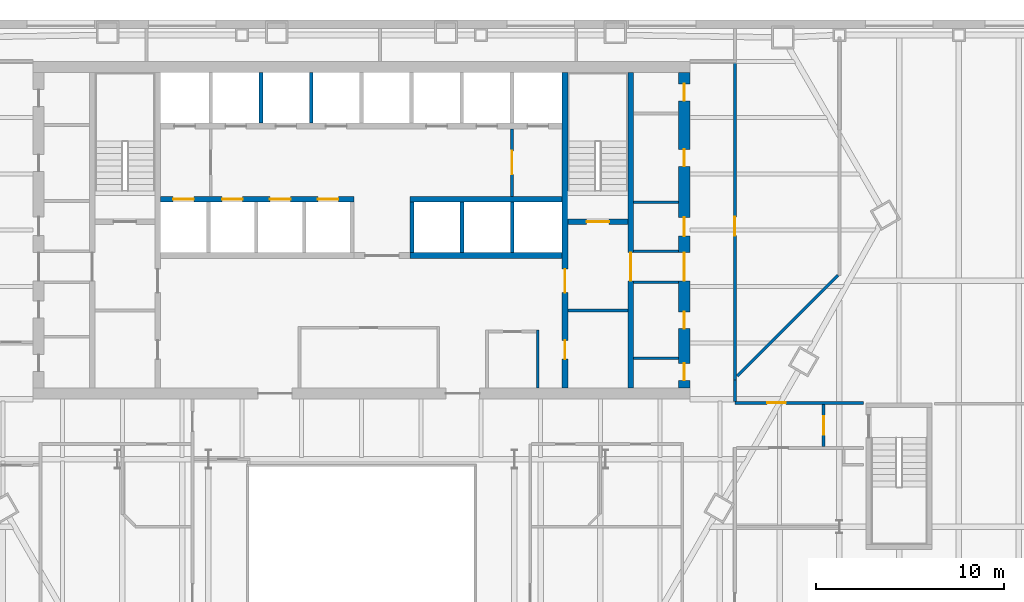
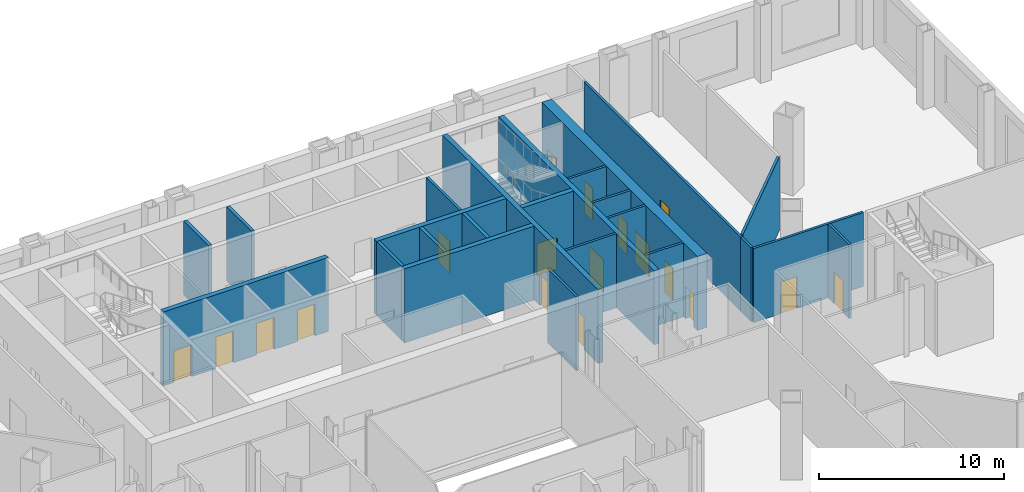
# One storey, part 12 of 20: 24 walls, 18 doors, 18 openings.
"""IFC4 building model written with IfcOpenShell, lengths in metres."""

import ifcopenshell
import ifcopenshell.guid

model = None  # the IFC model being written
_history = None  # IfcOwnerHistory: only IFC2X3 demands one
_inside = {}  # id of a spatial element -> (the spatial element, [elements in it])
_under = {}  # id of a project, library or spatial element -> (it, [spatial elements below it])
_declared = {}  # id of a project -> (the project, [libraries it declares])
_typed = {}  # id of a type object -> (the type object, [elements of that type])
_made_of = {}  # id of a material, layer set ... -> (it, [elements and type objects made of it])


def new_model(schema):
    """Start an empty IFC model of exactly this schema.

    Asked for "IFC4X3", IfcOpenShell would pick the latest addendum, in which some entities
    have other attributes; the version numbers below select the first issue.
    IFC2X3 requires an IfcOwnerHistory on every rooted entity: one is made here for all.
    """
    global model, _history
    if schema == "IFC4X3":
        model = ifcopenshell.file(schema_version=(4, 3, 0, 0))
    else:
        model = ifcopenshell.file(schema=schema)
    _inside.clear()
    _under.clear()
    _declared.clear()
    _typed.clear()
    _made_of.clear()
    _history = None
    if model.schema == "IFC2X3":
        org = make("IfcOrganization", Name="unknown")
        user = make(
            "IfcPersonAndOrganization",
            ThePerson=make("IfcPerson", FamilyName="unknown"),
            TheOrganization=org,
        )
        app = make(
            "IfcApplication",
            ApplicationDeveloper=org,
            Version="unknown",
            ApplicationFullName="unknown",
            ApplicationIdentifier="unknown",
        )
        _history = make(
            "IfcOwnerHistory",
            OwningUser=user,
            OwningApplication=app,
            ChangeAction="ADDED",
            CreationDate=0,
        )
    return model


def make(cls, **values):
    """One entity of the class cls with the attributes given. An attribute that is None is left unset."""
    return model.create_entity(
        cls, **{name: value for name, value in values.items() if value is not None}
    )


def rooted(cls, **values):
    """An entity with a GlobalId (a new one), such as an element, a storey or a relation."""
    return make(cls, GlobalId=ifcopenshell.guid.new(), OwnerHistory=_history, **values)


def si_unit(unit_type, name, prefix=None):
    """IfcSIUnit, for example si_unit("LENGTHUNIT", "METRE", prefix="MILLI")."""
    return make("IfcSIUnit", UnitType=unit_type, Prefix=prefix, Name=name)


def assignment(units):
    """IfcUnitAssignment: the units of a project."""
    return None if units is None else make("IfcUnitAssignment", Units=units)


def point(xyz):
    """IfcCartesianPoint."""
    return None if xyz is None else make("IfcCartesianPoint", Coordinates=xyz)


def direction(xyz):
    """IfcDirection."""
    return None if xyz is None else make("IfcDirection", DirectionRatios=xyz)


def frame(location, z_axis=None, x_axis=None):
    """IfcAxis2Placement3D, a coordinate frame: its origin and axes. An axis left out is left unset."""
    return make(
        "IfcAxis2Placement3D",
        Location=point(location),
        Axis=direction(z_axis),
        RefDirection=direction(x_axis),
    )


def frame_2d(location, x_axis=None):
    """IfcAxis2Placement2D, a coordinate frame in the plane: its origin and x axis."""
    return make(
        "IfcAxis2Placement2D", Location=point(location), RefDirection=direction(x_axis)
    )


def origin():
    """The frame at (0, 0, 0) with its axes left unset."""
    return frame((0.0, 0.0, 0.0))


def place(relative_to, where):
    """IfcLocalPlacement: puts the frame where relative to a parent placement (None: the world)."""
    return make(
        "IfcLocalPlacement", PlacementRelTo=relative_to, RelativePlacement=where
    )


def context(
    kind, dimensions, precision=None, world=None, true_north=None, identifier=None
):
    """IfcGeometricRepresentationContext, for example the 3D "Model" context."""
    return make(
        "IfcGeometricRepresentationContext",
        ContextIdentifier=identifier,
        ContextType=kind,
        CoordinateSpaceDimension=dimensions,
        Precision=precision,
        WorldCoordinateSystem=world,
        TrueNorth=true_north,
    )


def subcontext(parent, identifier, kind, view, scale=None):
    """IfcGeometricRepresentationSubContext, for example "Body" below "Model"."""
    return make(
        "IfcGeometricRepresentationSubContext",
        ContextIdentifier=identifier,
        ContextType=kind,
        ParentContext=parent,
        TargetScale=scale,
        TargetView=view,
    )


def project(units=None, contexts=None):
    """IfcProject with its units and contexts."""
    return rooted(
        "IfcProject",
        Name="project",
        RepresentationContexts=contexts,
        UnitsInContext=assignment(units),
    )


def spatial(cls, under=None, at=None, **own):
    """A site, building, storey or space (cls), placed at a placement, below another one or the project."""
    s = rooted(cls, ObjectPlacement=at, **own)
    if under is not None:
        _under.setdefault(under.id(), (under, []))[1].append(s)
    return s


def profile(cls, at=None, kind="AREA", **sizes):
    """A parametric profile (cls). Its sizes go by their IFC names, for example OverallWidth=200.0."""
    return make(cls, ProfileType=kind, Position=at, **sizes)


def rectangle(**sizes):
    """IfcRectangleProfileDef."""
    return profile("IfcRectangleProfileDef", **sizes)


def extrude(swept, where, along, depth):
    """IfcExtrudedAreaSolid: the profile swept, set in the frame where, extruded along a direction by depth."""
    return make(
        "IfcExtrudedAreaSolid",
        SweptArea=swept,
        Position=where,
        ExtrudedDirection=direction(along),
        Depth=depth,
    )


def shape(context_of_items, identifier, shape_type, items):
    """IfcShapeRepresentation: the items that make up one representation, for example the "Body"."""
    return make(
        "IfcShapeRepresentation",
        ContextOfItems=context_of_items,
        RepresentationIdentifier=identifier,
        RepresentationType=shape_type,
        Items=items,
    )


def material(Name=None, Category=None):
    """IfcMaterial."""
    return make("IfcMaterial", Name=Name, Category=Category)


def layer(
    of_material, thickness, ventilated=None, Name=None, Category=None, Priority=None
):
    """IfcMaterialLayer: one layer of a wall or slab, of a material (None: an air gap)."""
    return make(
        "IfcMaterialLayer",
        Material=of_material,
        LayerThickness=thickness,
        IsVentilated=ventilated,
        Name=Name,
        Category=Category,
        Priority=Priority,
    )


def layer_set(layers, Name=None):
    """IfcMaterialLayerSet."""
    return make("IfcMaterialLayerSet", MaterialLayers=layers, LayerSetName=Name)


def made_of(thing, what):
    """Note that an element or type object is made of a material, layer set ...; save() writes the relation."""
    if what is not None:
        _made_of.setdefault(what.id(), (what, []))[1].append(thing)
    return thing


def type_object(cls, material=None, **own):
    """A type object (cls), such as IfcWallType, which elements share."""
    return made_of(rooted(cls, **own), material)


def element(
    cls,
    number,
    at=None,
    inside=None,
    cuts=None,
    type_object=None,
    material=None,
    context=None,
    identifier="Body",
    shape_type=None,
    held_by="IfcProductDefinitionShape",
    body=None,
    shapes=None,
    **own,
):
    """One element of the class cls, such as IfcWall. Its Tag is "e" and its number.

    at: its placement. inside: the storey or other place that contains it. cuts: it is an
    opening in that element (IfcRelVoidsElement). A single representation is given by context,
    identifier, shape_type and body (its items); several are given by shapes. held_by: the class
    of the entity that holds the representations. save() writes the other relations.
    """
    e = rooted(cls, Tag="e%d" % number, ObjectPlacement=at, **own)
    if body is not None:
        shapes = [shape(context, identifier, shape_type, body)]
    if shapes is not None:
        e.Representation = make(held_by, Representations=shapes)
    if inside is not None:
        _inside.setdefault(inside.id(), (inside, []))[1].append(e)
    if cuts is not None:
        rooted(
            "IfcRelVoidsElement", RelatingBuildingElement=cuts, RelatedOpeningElement=e
        )
    if type_object is not None:
        _typed.setdefault(type_object.id(), (type_object, []))[1].append(e)
    return made_of(e, material)


def fill(opening, filler):
    """IfcRelFillsElement: the door or window that sits in an opening."""
    return rooted(
        "IfcRelFillsElement",
        RelatingOpeningElement=opening,
        RelatedBuildingElement=filler,
    )


def aggregate(whole, parts):
    """IfcRelAggregates: a whole, such as a stair, and the parts it consists of."""
    return rooted("IfcRelAggregates", RelatingObject=whole, RelatedObjects=parts)


def save(model, path):
    """Write the relations noted so far, then the file.

    IfcRelAggregates (storeys below a building ...), IfcRelContainedInSpatialStructure (elements
    in a storey), IfcRelDefinesByType, IfcRelAssociatesMaterial and IfcRelDeclares: one each for
    every whole, place, type object, material and project.
    """
    for whole, parts in _under.values():
        aggregate(whole, parts)
    for where, things in _inside.values():
        rooted(
            "IfcRelContainedInSpatialStructure",
            RelatedElements=things,
            RelatingStructure=where,
        )
    for kind, things in _typed.values():
        rooted("IfcRelDefinesByType", RelatedObjects=things, RelatingType=kind)
    for what, things in _made_of.values():
        rooted("IfcRelAssociatesMaterial", RelatedObjects=things, RelatingMaterial=what)
    for by, libraries in _declared.values():
        rooted("IfcRelDeclares", RelatingContext=by, RelatedDefinitions=libraries)
    model.write(path)


model = new_model("IFC4")

# Units and contexts
model_context = context("Model", 3, precision=1e-05, world=origin(), true_north=direction((0.0, 1.0)))
body_context = subcontext(model_context, "Body", "Model", "MODEL_VIEW")
ifc_project = project(units=[si_unit("LENGTHUNIT", "METRE"), si_unit("AREAUNIT", "SQUARE_METRE"), si_unit("VOLUMEUNIT", "CUBIC_METRE"), si_unit("PLANEANGLEUNIT", "RADIAN"), si_unit("MASSUNIT", "GRAM", prefix="KILO")], contexts=[model_context])

# Site, building, storey
site_placement = place(None, origin())
site = spatial("IfcSite", under=ifc_project, at=site_placement, CompositionType="ELEMENT")
building_placement = place(site_placement, origin())
building = spatial("IfcBuilding", under=site, at=building_placement, Name="Njiva Tower", CompositionType="ELEMENT")
storey_placement = place(building_placement, frame((0.0, 0.0, 18.6)))
storey = spatial("IfcBuildingStorey", under=building, at=storey_placement, Name="L03", CompositionType="ELEMENT", Elevation=18.6)

# Walls
ifc_material_1 = material(Name="Blockwork", Category="masonry")
ifc_layer_1 = layer(ifc_material_1, 0.15)
ifc_layer_set_1 = layer_set([ifc_layer_1], Name="Blockwork")
wall_type_1 = type_object("IfcWallType", Name="WT1 Compartment partition 150", PredefinedType="PARTITIONING", material=ifc_layer_set_1)
wall_1_placement = place(storey_placement, frame((11.0, 4.725, 0.0), z_axis=(0.0, 0.0, 1.0), x_axis=(1.0, 0.0, 0.0)))
element("IfcWall", 1, at=wall_1_placement, inside=storey, type_object=wall_type_1, Name="Room wall B", PredefinedType="PARTITIONING", context=body_context, shape_type="SweptSolid", body=[
    extrude(rectangle(XDim=3.2, YDim=0.15, at=frame_2d((1.6, 0.0))), origin(), (0.0, 0.0, 1.0), 4.88),
])
for number, where, z_axis, x_axis, name in (
    (2, (14.5, 2.175, 0.0), (0.0, 0.0, 1.0), (1.0, 0.0, 0.0), "Partition strip E00"),
    (3, (14.5, 10.4885, 0.0), (0.0, 0.0, 1.0), (1.0, 0.0, 0.0), "Partition strip E10"),
):
    element("IfcWall", number, at=place(storey_placement, frame(where, z_axis=z_axis, x_axis=x_axis)), inside=storey, type_object=wall_type_1, Name=name, PredefinedType="PARTITIONING", context=body_context, shape_type="SweptSolid", body=[
        extrude(rectangle(XDim=2.4, YDim=0.15, at=frame_2d((1.2, 0.0))), origin(), (0.0, 0.0, 1.0), 4.88),
    ])
wall_2_placement = place(storey_placement, frame((9.4, 0.6, 0.0), z_axis=(0.0, 0.0, 1.0), x_axis=(0.0, 1.0, 0.0)))
element("IfcWall", 4, at=wall_2_placement, inside=storey, type_object=wall_type_1, Name="Tenant reception wall east", PredefinedType="PARTITIONING", context=body_context, shape_type="SweptSolid", body=[
    extrude(rectangle(XDim=3.075, YDim=0.15, at=frame_2d((1.5375, 0.0))), origin(), (0.0, 0.0, 1.0), 4.88),
])

# Wall, openings, doors
ifc_material_2 = material(Name="Concrete C40/50", Category="concrete")
ifc_layer_2 = layer(ifc_material_2, 0.3)
ifc_layer_set_2 = layer_set([ifc_layer_2], Name="Concrete C40/50")
wall_type_2 = type_object("IfcWallType", Name="WT10 Stair enclosure wall 300", PredefinedType="SHEAR", material=ifc_layer_set_2)
wall_3_placement = place(storey_placement, frame((10.85, 0.6, 0.0), z_axis=(0.0, 0.0, 1.0), x_axis=(0.0, 1.0, 0.0)))
wall_3 = element("IfcWall", 5, at=wall_3_placement, inside=storey, type_object=wall_type_2, Name="Stair wall east inner", PredefinedType="SHEAR", context=body_context, shape_type="SweptSolid", body=[
    extrude(rectangle(XDim=16.8, YDim=0.3, at=frame_2d((8.4, 0.0))), origin(), (0.0, 0.0, 1.0), 4.88),
])
opening_1_placement = place(wall_3_placement, frame((5.075, 0.0, 0.0)))
opening_1 = element("IfcOpeningElement", 6, at=opening_1_placement, cuts=wall_3, Name="Opening L03-D918", PredefinedType="OPENING", context=body_context, shape_type="SweptSolid", body=[
    extrude(rectangle(XDim=1.25, YDim=2.1, at=frame_2d((0.625, 1.05))), frame((0.0, 0.16, 0.0), z_axis=(0.0, -1.0, 0.0), x_axis=(1.0, 0.0, 0.0)), (0.0, 0.0, 1.0), 0.32),
])
opening_2_placement = place(wall_3_placement, frame((1.525, 0.0, 0.0)))
opening_2 = element("IfcOpeningElement", 7, at=opening_2_placement, cuts=wall_3, Name="Opening L03-D919", PredefinedType="OPENING", context=body_context, shape_type="SweptSolid", body=[
    extrude(rectangle(XDim=1.0, YDim=2.1, at=frame_2d((0.5, 1.05))), frame((0.0, 0.16, 0.0), z_axis=(0.0, -1.0, 0.0), x_axis=(1.0, 0.0, 0.0)), (0.0, 0.0, 1.0), 0.32),
])
ifc_material_3 = material(Name="Steel door, painted", Category="steel")
door_type_1 = type_object("IfcDoorType", Name="D5 Steel door 1000x2100", OperationType="SINGLE_SWING_LEFT", PredefinedType="DOOR", material=ifc_material_3)
door_1_placement = place(opening_2_placement, origin())
door_1 = element("IfcDoor", 8, at=door_1_placement, inside=storey, type_object=door_type_1, Name="Prayer room door", OperationType="SINGLE_SWING_LEFT", OverallHeight=2.1, OverallWidth=1.0, PredefinedType="DOOR", context=body_context, shape_type="SweptSolid", body=[
    extrude(rectangle(XDim=1.0, YDim=2.1, at=frame_2d((0.5, 1.05))), frame((0.0, 0.025, 0.0), z_axis=(0.0, -1.0, 0.0), x_axis=(1.0, 0.0, 0.0)), (0.0, 0.0, 1.0), 0.05),
])
fill(opening_2, door_1)
ifc_material_4 = material(Name="Glazed steel fire door", Category="steel")
door_type_2 = type_object("IfcDoorType", Name="D8 Vestibule corridor door 1250x2100 glazed", OperationType="SINGLE_SWING_LEFT", PredefinedType="DOOR", material=ifc_material_4)
door_2_placement = place(opening_1_placement, origin())
door_2 = element("IfcDoor", 9, at=door_2_placement, inside=storey, type_object=door_type_2, Name="Stair vestibule corridor door", OperationType="SINGLE_SWING_RIGHT", OverallHeight=2.1, OverallWidth=1.25, PredefinedType="DOOR", context=body_context, shape_type="SweptSolid", body=[
    extrude(rectangle(XDim=1.25, YDim=2.1, at=frame_2d((0.625, 1.05))), frame((0.0, 0.025, 0.0), z_axis=(0.0, -1.0, 0.0), x_axis=(1.0, 0.0, 0.0)), (0.0, 0.0, 1.0), 0.05),
])
fill(opening_1, door_2)

# Wall, opening, door
wall_4_placement = place(storey_placement, frame((14.35, 0.6, 0.0), z_axis=(0.0, 0.0, 1.0), x_axis=(0.0, 1.0, 0.0)))
wall_4 = element("IfcWall", 10, at=wall_4_placement, inside=storey, type_object=wall_type_2, Name="Stair wall east outer", PredefinedType="SHEAR", context=body_context, shape_type="SweptSolid", body=[
    extrude(rectangle(XDim=16.8, YDim=0.3, at=frame_2d((8.4, 0.0))), origin(), (0.0, 0.0, 1.0), 4.88),
])
opening_3_placement = place(wall_4_placement, frame((5.7, 0.0, 0.0)))
opening_3 = element("IfcOpeningElement", 11, at=opening_3_placement, cuts=wall_4, Name="Opening L03-D927", PredefinedType="OPENING", context=body_context, shape_type="SweptSolid", body=[
    extrude(rectangle(XDim=1.5, YDim=2.1, at=frame_2d((0.75, 1.05))), frame((0.0, 0.16, 0.0), z_axis=(0.0, -1.0, 0.0), x_axis=(1.0, 0.0, 0.0)), (0.0, 0.0, 1.0), 0.32),
])
door_type_3 = type_object("IfcDoorType", Name="D10 Exit door double 1500x2100 glazed", OperationType="DOUBLE_DOOR_SINGLE_SWING", PredefinedType="DOOR", material=ifc_material_4)
door_3_placement = place(opening_3_placement, origin())
door_3 = element("IfcDoor", 12, at=door_3_placement, inside=storey, type_object=door_type_3, Name="Stair B passage door", OperationType="DOUBLE_DOOR_SINGLE_SWING", OverallHeight=2.1, OverallWidth=1.5, PredefinedType="DOOR", context=body_context, shape_type="SweptSolid", body=[
    extrude(rectangle(XDim=1.5, YDim=2.1, at=frame_2d((0.75, 1.05))), frame((0.0, 0.025, 0.0), z_axis=(0.0, -1.0, 0.0), x_axis=(1.0, 0.0, 0.0)), (0.0, 0.0, 1.0), 0.05),
])
fill(opening_3, door_3)

wall_5_placement = place(storey_placement, frame((11.0, 9.45, 0.0), z_axis=(0.0, 0.0, 1.0), x_axis=(1.0, 0.0, 0.0)))
wall_5 = element("IfcWall", 13, at=wall_5_placement, inside=storey, type_object=wall_type_2, Name="Stair B south wall", PredefinedType="SHEAR", context=body_context, shape_type="SweptSolid", body=[
    extrude(rectangle(XDim=3.2, YDim=0.3, at=frame_2d((1.6, 0.0))), origin(), (0.0, 0.0, 1.0), 4.88),
])
opening_4_placement = place(wall_5_placement, frame((1.0, 0.0, 0.0)))
opening_4 = element("IfcOpeningElement", 14, at=opening_4_placement, cuts=wall_5, Name="Opening L03-D917", PredefinedType="OPENING", context=body_context, shape_type="SweptSolid", body=[
    extrude(rectangle(XDim=1.2, YDim=2.1, at=frame_2d((0.6, 1.05))), frame((0.0, 0.16, 0.0), z_axis=(0.0, -1.0, 0.0), x_axis=(1.0, 0.0, 0.0)), (0.0, 0.0, 1.0), 0.32),
])
door_type_4 = type_object("IfcDoorType", Name="D7 Stair vestibule door 1200x2100 glazed", OperationType="SINGLE_SWING_LEFT", PredefinedType="DOOR", material=ifc_material_4)
door_4_placement = place(opening_4_placement, origin())
door_4 = element("IfcDoor", 15, at=door_4_placement, inside=storey, type_object=door_type_4, Name="Stair B door", OperationType="SINGLE_SWING_LEFT", OverallHeight=2.1, OverallWidth=1.2, PredefinedType="DOOR", context=body_context, shape_type="SweptSolid", body=[
    extrude(rectangle(XDim=1.2, YDim=2.1, at=frame_2d((0.6, 1.05))), frame((0.0, 0.025, 0.0), z_axis=(0.0, -1.0, 0.0), x_axis=(1.0, 0.0, 0.0)), (0.0, 0.0, 1.0), 0.05),
])
fill(opening_4, door_4)

# Wall, openings, doors
ifc_material_5 = material(Name="Concrete C60/75", Category="concrete")
ifc_layer_3 = layer(ifc_material_5, 0.6)
ifc_layer_set_3 = layer_set([ifc_layer_3], Name="Concrete C60/75")
wall_type_3 = type_object("IfcWallType", Name="WT15 Core wall 600", PredefinedType="SHEAR", material=ifc_layer_set_3)
wall_6_placement = place(storey_placement, frame((17.2, 0.6, 0.0), z_axis=(0.0, 0.0, 1.0), x_axis=(0.0, 1.0, 0.0)))
wall_6 = element("IfcWall", 16, at=wall_6_placement, inside=storey, type_object=wall_type_3, Name="Core wall east", PredefinedType="SHEAR", context=body_context, shape_type="SweptSolid", body=[
    extrude(rectangle(XDim=16.8, YDim=0.6, at=frame_2d((8.4, 0.0))), origin(), (0.0, 0.0, 1.0), 4.88),
])
opening_5_placement = place(wall_6_placement, frame((5.7, 0.0, 0.0)))
opening_5 = element("IfcOpeningElement", 17, at=opening_5_placement, cuts=wall_6, Name="Opening L03-D928", PredefinedType="OPENING", context=body_context, shape_type="SweptSolid", body=[
    extrude(rectangle(XDim=1.5, YDim=2.1, at=frame_2d((0.75, 1.05))), frame((0.0, 0.31, 0.0), z_axis=(0.0, -1.0, 0.0), x_axis=(1.0, 0.0, 0.0)), (0.0, 0.0, 1.0), 0.62),
])
opening_6_placement = place(wall_6_placement, frame((0.4, 0.0, 0.0)))
opening_6 = element("IfcOpeningElement", 18, at=opening_6_placement, cuts=wall_6, Name="Opening L03-D929", PredefinedType="OPENING", context=body_context, shape_type="SweptSolid", body=[
    extrude(rectangle(XDim=0.9, YDim=2.1, at=frame_2d((0.45, 1.05))), frame((0.0, 0.31, 0.0), z_axis=(0.0, -1.0, 0.0), x_axis=(1.0, 0.0, 0.0)), (0.0, 0.0, 1.0), 0.62),
])
opening_7_placement = place(wall_6_placement, frame((3.15, 0.0, 0.0)))
opening_7 = element("IfcOpeningElement", 19, at=opening_7_placement, cuts=wall_6, Name="Opening L03-D930", PredefinedType="OPENING", context=body_context, shape_type="SweptSolid", body=[
    extrude(rectangle(XDim=0.9, YDim=2.1, at=frame_2d((0.45, 1.05))), frame((0.0, 0.31, 0.0), z_axis=(0.0, -1.0, 0.0), x_axis=(1.0, 0.0, 0.0)), (0.0, 0.0, 1.0), 0.62),
])
opening_8_placement = place(wall_6_placement, frame((8.0817, 0.0, 0.0)))
opening_8 = element("IfcOpeningElement", 20, at=opening_8_placement, cuts=wall_6, Name="Opening L03-D931", PredefinedType="OPENING", context=body_context, shape_type="SweptSolid", body=[
    extrude(rectangle(XDim=1.0, YDim=2.1, at=frame_2d((0.5, 1.05))), frame((0.0, 0.31, 0.0), z_axis=(0.0, -1.0, 0.0), x_axis=(1.0, 0.0, 0.0)), (0.0, 0.0, 1.0), 0.62),
])
opening_9_placement = place(wall_6_placement, frame((11.801, 0.0, 0.0)))
opening_9 = element("IfcOpeningElement", 21, at=opening_9_placement, cuts=wall_6, Name="Opening L03-D932", PredefinedType="OPENING", context=body_context, shape_type="SweptSolid", body=[
    extrude(rectangle(XDim=0.9, YDim=2.1, at=frame_2d((0.45, 1.05))), frame((0.0, 0.31, 0.0), z_axis=(0.0, -1.0, 0.0), x_axis=(1.0, 0.0, 0.0)), (0.0, 0.0, 1.0), 0.62),
])
opening_10_placement = place(wall_6_placement, frame((15.2942, 0.0, 0.0)))
opening_10 = element("IfcOpeningElement", 22, at=opening_10_placement, cuts=wall_6, Name="Opening L03-D933", PredefinedType="OPENING", context=body_context, shape_type="SweptSolid", body=[
    extrude(rectangle(XDim=0.9, YDim=2.1, at=frame_2d((0.45, 1.05))), frame((0.0, 0.31, 0.0), z_axis=(0.0, -1.0, 0.0), x_axis=(1.0, 0.0, 0.0)), (0.0, 0.0, 1.0), 0.62),
])
door_5_placement = place(opening_5_placement, origin())
door_5 = element("IfcDoor", 23, at=door_5_placement, inside=storey, type_object=door_type_3, Name="Stair B corridor door", OperationType="DOUBLE_DOOR_SINGLE_SWING", OverallHeight=2.1, OverallWidth=1.5, PredefinedType="DOOR", context=body_context, shape_type="SweptSolid", body=[
    extrude(rectangle(XDim=1.5, YDim=2.1, at=frame_2d((0.75, 1.05))), frame((0.0, 0.025, 0.0), z_axis=(0.0, -1.0, 0.0), x_axis=(1.0, 0.0, 0.0)), (0.0, 0.0, 1.0), 0.05),
])
fill(opening_5, door_5)
door_type_5 = type_object("IfcDoorType", Name="D4 Riser door 900x2100", OperationType="SINGLE_SWING_LEFT", PredefinedType="DOOR", material=ifc_material_3)
door_6_placement = place(opening_10_placement, origin())
door_6 = element("IfcDoor", 24, at=door_6_placement, inside=storey, type_object=door_type_5, Name="Riser door", OperationType="SINGLE_SWING_RIGHT", OverallHeight=2.1, OverallWidth=0.9, PredefinedType="DOOR", context=body_context, shape_type="SweptSolid", body=[
    extrude(rectangle(XDim=0.9, YDim=2.1, at=frame_2d((0.45, 1.05))), frame((0.0, 0.025, 0.0), z_axis=(0.0, -1.0, 0.0), x_axis=(1.0, 0.0, 0.0)), (0.0, 0.0, 1.0), 0.05),
])
fill(opening_10, door_6)
door_7_placement = place(opening_8_placement, origin())
door_7 = element("IfcDoor", 25, at=door_7_placement, inside=storey, type_object=door_type_1, Name="Electrical room door", OperationType="SINGLE_SWING_LEFT", OverallHeight=2.1, OverallWidth=1.0, PredefinedType="DOOR", context=body_context, shape_type="SweptSolid", body=[
    extrude(rectangle(XDim=1.0, YDim=2.1, at=frame_2d((0.5, 1.05))), frame((0.0, 0.025, 0.0), z_axis=(0.0, -1.0, 0.0), x_axis=(1.0, 0.0, 0.0)), (0.0, 0.0, 1.0), 0.05),
])
fill(opening_8, door_7)
ifc_material_6 = material(Name="Steel fire door, painted", Category="steel")
door_type_6 = type_object("IfcDoorType", Name="D6 Fire-rated door 900x2100", OperationType="SINGLE_SWING_LEFT", PredefinedType="DOOR", material=ifc_material_6)
door_8_placement = place(opening_6_placement, origin())
door_8 = element("IfcDoor", 26, at=door_8_placement, inside=storey, type_object=door_type_6, Name="Cleaner's store door", OperationType="SINGLE_SWING_RIGHT", OverallHeight=2.1, OverallWidth=0.9, PredefinedType="DOOR", context=body_context, shape_type="SweptSolid", body=[
    extrude(rectangle(XDim=0.9, YDim=2.1, at=frame_2d((0.45, 1.05))), frame((0.0, 0.025, 0.0), z_axis=(0.0, -1.0, 0.0), x_axis=(1.0, 0.0, 0.0)), (0.0, 0.0, 1.0), 0.05),
])
fill(opening_6, door_8)
door_9_placement = place(opening_7_placement, origin())
door_9 = element("IfcDoor", 27, at=door_9_placement, inside=storey, type_object=door_type_6, Name="Reading room door", OperationType="SINGLE_SWING_RIGHT", OverallHeight=2.1, OverallWidth=0.9, PredefinedType="DOOR", context=body_context, shape_type="SweptSolid", body=[
    extrude(rectangle(XDim=0.9, YDim=2.1, at=frame_2d((0.45, 1.05))), frame((0.0, 0.025, 0.0), z_axis=(0.0, -1.0, 0.0), x_axis=(1.0, 0.0, 0.0)), (0.0, 0.0, 1.0), 0.05),
])
fill(opening_7, door_9)
door_10_placement = place(opening_9_placement, origin())
door_10 = element("IfcDoor", 28, at=door_10_placement, inside=storey, type_object=door_type_6, Name="Prayer room door", OperationType="SINGLE_SWING_LEFT", OverallHeight=2.1, OverallWidth=0.9, PredefinedType="DOOR", context=body_context, shape_type="SweptSolid", body=[
    extrude(rectangle(XDim=0.9, YDim=2.1, at=frame_2d((0.45, 1.05))), frame((0.0, 0.025, 0.0), z_axis=(0.0, -1.0, 0.0), x_axis=(1.0, 0.0, 0.0)), (0.0, 0.0, 1.0), 0.05),
])
fill(opening_9, door_10)

# Wall, opening, door
ifc_layer_4 = layer(ifc_material_1, 0.15)
ifc_layer_set_4 = layer_set([ifc_layer_4], Name="Blockwork")
wall_type_4 = type_object("IfcWallType", Name="WT2 Lobby partition 150", PredefinedType="PARTITIONING", material=ifc_layer_set_4)
wall_7_placement = place(storey_placement, frame((8.025, 10.8, 0.0), z_axis=(0.0, 0.0, 1.0), x_axis=(0.0, 1.0, 0.0)))
wall_7 = element("IfcWall", 29, at=wall_7_placement, inside=storey, type_object=wall_type_4, Name="Firefighting lobby wall B", PredefinedType="PARTITIONING", context=body_context, shape_type="SweptSolid", body=[
    extrude(rectangle(XDim=3.6, YDim=0.15, at=frame_2d((1.8, 0.0))), origin(), (0.0, 0.0, 1.0), 4.88),
])
opening_11_placement = place(wall_7_placement, frame((1.175, 0.0, 0.0)))
opening_11 = element("IfcOpeningElement", 30, at=opening_11_placement, cuts=wall_7, Name="Opening L03-D916", PredefinedType="OPENING", context=body_context, shape_type="SweptSolid", body=[
    extrude(rectangle(XDim=1.25, YDim=2.1, at=frame_2d((0.625, 1.05))), frame((0.0, 0.085, 0.0), z_axis=(0.0, -1.0, 0.0), x_axis=(1.0, 0.0, 0.0)), (0.0, 0.0, 1.0), 0.17),
])
door_11_placement = place(opening_11_placement, origin())
door_11 = element("IfcDoor", 31, at=door_11_placement, inside=storey, type_object=door_type_2, Name="Stair vestibule corridor door", OperationType="SINGLE_SWING_LEFT", OverallHeight=2.1, OverallWidth=1.25, PredefinedType="DOOR", context=body_context, shape_type="SweptSolid", body=[
    extrude(rectangle(XDim=1.25, YDim=2.1, at=frame_2d((0.625, 1.05))), frame((0.0, 0.025, 0.0), z_axis=(0.0, -1.0, 0.0), x_axis=(1.0, 0.0, 0.0)), (0.0, 0.0, 1.0), 0.05),
])
fill(opening_11, door_11)

# Wall
ifc_material_7 = material(Name="Gypsum board on steel studs", Category="gypsum")
ifc_layer_5 = layer(ifc_material_7, 0.15)
ifc_layer_set_5 = layer_set([ifc_layer_5], Name="Gypsum board on steel studs")
wall_type_5 = type_object("IfcWallType", Name="WT21 Compartment wall 150", PredefinedType="PARTITIONING", material=ifc_layer_set_5)
wall_8_placement = place(storey_placement, frame((19.9, -0.125, 0.0), z_axis=(0.0, 0.0, 1.0), x_axis=(0.0, 1.0, 0.0)))
element("IfcWall", 32, at=wall_8_placement, inside=storey, type_object=wall_type_5, Name="Partition L03-P081", PredefinedType="PARTITIONING", context=body_context, shape_type="SweptSolid", body=[
    extrude(rectangle(XDim=1.15, YDim=0.15, at=frame_2d((0.575, 0.0))), origin(), (0.0, 0.0, 1.0), 4.88),
])

# Wall, opening, door
wall_9_placement = place(storey_placement, frame((19.9, 1.025, 0.0), z_axis=(0.0, 0.0, 1.0), x_axis=(0.0, 1.0, 0.0)))
wall_9 = element("IfcWall", 33, at=wall_9_placement, inside=storey, type_object=wall_type_5, Name="Partition L03-P082", PredefinedType="PARTITIONING", context=body_context, shape_type="SweptSolid", body=[
    extrude(rectangle(XDim=16.9, YDim=0.15, at=frame_2d((8.45, 0.0))), origin(), (0.0, 0.0, 1.0), 4.88),
])
opening_12_placement = place(wall_9_placement, frame((7.687, 0.0, 0.0)))
opening_12 = element("IfcOpeningElement", 34, at=opening_12_placement, cuts=wall_9, Name="Opening L03-D031", PredefinedType="OPENING", context=body_context, shape_type="SweptSolid", body=[
    extrude(rectangle(XDim=1.0, YDim=2.1, at=frame_2d((0.5, 1.05))), frame((0.0, 0.085, 0.0), z_axis=(0.0, -1.0, 0.0), x_axis=(1.0, 0.0, 0.0)), (0.0, 0.0, 1.0), 0.17),
])
ifc_material_8 = material(Name="Steel fire door set", Category="steel")
door_type_7 = type_object("IfcDoorType", Name="D37 Fire door 1000x2100", OperationType="SINGLE_SWING_LEFT", PredefinedType="DOOR", material=ifc_material_8)
door_12_placement = place(opening_12_placement, origin())
door_12 = element("IfcDoor", 35, at=door_12_placement, inside=storey, type_object=door_type_7, Name="Door L03-D031", OperationType="SINGLE_SWING_LEFT", OverallHeight=2.1, OverallWidth=1.0, PredefinedType="DOOR", context=body_context, shape_type="SweptSolid", body=[
    extrude(rectangle(XDim=1.0, YDim=2.1, at=frame_2d((0.5, 1.05))), frame((0.0, 0.025, 0.0), z_axis=(0.0, -1.0, 0.0), x_axis=(1.0, 0.0, 0.0)), (0.0, 0.0, 1.0), 0.05),
])
fill(opening_12, door_12)

wall_10_placement = place(storey_placement, frame((19.902, -0.2, 0.0), z_axis=(0.0, 0.0, 1.0), x_axis=(1.0, 0.0, 0.0)))
wall_10 = element("IfcWall", 36, at=wall_10_placement, inside=storey, type_object=wall_type_5, Name="Partition L03-P084", PredefinedType="PARTITIONING", context=body_context, shape_type="SweptSolid", body=[
    extrude(rectangle(XDim=6.848, YDim=0.15, at=frame_2d((3.424, 0.0))), origin(), (0.0, 0.0, 1.0), 4.88),
])
opening_13_placement = place(wall_10_placement, frame((1.713, 0.0, 0.0)))
opening_13 = element("IfcOpeningElement", 37, at=opening_13_placement, cuts=wall_10, Name="Opening L03-D032", PredefinedType="OPENING", context=body_context, shape_type="SweptSolid", body=[
    extrude(rectangle(XDim=1.0, YDim=2.1, at=frame_2d((0.5, 1.05))), frame((0.0, 0.085, 0.0), z_axis=(0.0, -1.0, 0.0), x_axis=(1.0, 0.0, 0.0)), (0.0, 0.0, 1.0), 0.17),
])
door_13_placement = place(opening_13_placement, origin())
door_13 = element("IfcDoor", 38, at=door_13_placement, inside=storey, type_object=door_type_7, Name="Door L03-D032", OperationType="SINGLE_SWING_RIGHT", OverallHeight=2.1, OverallWidth=1.0, PredefinedType="DOOR", context=body_context, shape_type="SweptSolid", body=[
    extrude(rectangle(XDim=1.0, YDim=2.1, at=frame_2d((0.5, 1.05))), frame((0.0, 0.025, 0.0), z_axis=(0.0, -1.0, 0.0), x_axis=(1.0, 0.0, 0.0)), (0.0, 0.0, 1.0), 0.05),
])
fill(opening_13, door_13)

# Wall
wall_11_placement = place(storey_placement, frame((20.028, 1.228, 0.0), z_axis=(0.0, 0.0, 1.0), x_axis=(0.707106781187, 0.707106781187, 0.0)))
element("IfcWall", 39, at=wall_11_placement, inside=storey, type_object=wall_type_5, Name="Partition L03-P088", PredefinedType="PARTITIONING", context=body_context, shape_type="SweptSolid", body=[
    extrude(rectangle(XDim=7.5858, YDim=0.15, at=frame_2d((3.7929, 0.0))), origin(), (0.0, 0.0, 1.0), 4.88),
])

# Wall, opening, door
wall_12_placement = place(storey_placement, frame((24.625, -2.525, 0.0), z_axis=(0.0, 0.0, 1.0), x_axis=(0.0, 1.0, 0.0)))
wall_12 = element("IfcWall", 40, at=wall_12_placement, inside=storey, type_object=wall_type_5, Name="Partition L03-P089", PredefinedType="PARTITIONING", context=body_context, shape_type="SweptSolid", body=[
    extrude(rectangle(XDim=2.25, YDim=0.15, at=frame_2d((1.125, 0.0))), origin(), (0.0, 0.0, 1.0), 4.88),
])
opening_14_placement = place(wall_12_placement, frame((0.625, 0.0, 0.0)))
opening_14 = element("IfcOpeningElement", 41, at=opening_14_placement, cuts=wall_12, Name="Opening L03-D034", PredefinedType="OPENING", context=body_context, shape_type="SweptSolid", body=[
    extrude(rectangle(XDim=1.0, YDim=2.1, at=frame_2d((0.5, 1.05))), frame((0.0, 0.085, 0.0), z_axis=(0.0, -1.0, 0.0), x_axis=(1.0, 0.0, 0.0)), (0.0, 0.0, 1.0), 0.17),
])
door_type_8 = type_object("IfcDoorType", Name="D41 Glazed fire door 1000x2100", OperationType="SINGLE_SWING_LEFT", PredefinedType="DOOR", material=ifc_material_4)
door_14_placement = place(opening_14_placement, origin())
door_14 = element("IfcDoor", 42, at=door_14_placement, inside=storey, type_object=door_type_8, Name="Door L03-D034", OperationType="SINGLE_SWING_LEFT", OverallHeight=2.1, OverallWidth=1.0, PredefinedType="DOOR", context=body_context, shape_type="SweptSolid", body=[
    extrude(rectangle(XDim=1.0, YDim=2.1, at=frame_2d((0.5, 1.05))), frame((0.0, 0.025, 0.0), z_axis=(0.0, -1.0, 0.0), x_axis=(1.0, 0.0, 0.0)), (0.0, 0.0, 1.0), 0.05),
])
fill(opening_14, door_14)

# Walls
ifc_layer_6 = layer(ifc_material_1, 0.15)
ifc_layer_set_6 = layer_set([ifc_layer_6], Name="Blockwork")
wall_type_6 = type_object("IfcWallType", Name="WT4 Stair partition 150", PredefinedType="PARTITIONING", material=ifc_layer_set_6)
for number, where, z_axis, x_axis, name in (
    (43, (14.5, 6.225, 0.0), (0.0, 0.0, 1.0), (1.0, 0.0, 0.0), "Stair B exit passage wall south"),
    (44, (14.5, 7.875, 0.0), (0.0, 0.0, 1.0), (1.0, 0.0, 0.0), "Stair B exit passage wall north"),
):
    element("IfcWall", number, at=place(storey_placement, frame(where, z_axis=z_axis, x_axis=x_axis)), inside=storey, type_object=wall_type_6, Name=name, PredefinedType="PARTITIONING", context=body_context, shape_type="SweptSolid", body=[
        extrude(rectangle(XDim=2.4, YDim=0.15, at=frame_2d((1.2, 0.0))), origin(), (0.0, 0.0, 1.0), 4.88),
    ])
ifc_layer_7 = layer(ifc_material_2, 0.2)
ifc_layer_set_7 = layer_set([ifc_layer_7], Name="Concrete C40/50")
wall_type_7 = type_object("IfcWallType", Name="WT6 Lift shaft wall 200", PredefinedType="SHEAR", material=ifc_layer_set_7)
for number, where, z_axis, x_axis, name in (
    (45, (-5.35, 14.7, 0.0), (0.0, 0.0, 1.0), (0.0, 1.0, 0.0), "Shaft wall CN2"),
    (46, (-2.675, 14.7, 0.0), (0.0, 0.0, 1.0), (0.0, 1.0, 0.0), "Shaft wall CN3"),
    (47, (2.7, 7.8, 0.0), (0.0, 0.0, 1.0), (0.0, 1.0, 0.0), "Shaft wall CS5"),
    (48, (5.3667, 7.8, 0.0), (0.0, 0.0, 1.0), (0.0, 1.0, 0.0), "Shaft wall CS6"),
    (49, (8.0333, 7.8, 0.0), (0.0, 0.0, 1.0), (0.0, 1.0, 0.0), "Shaft wall CS7"),
):
    element("IfcWall", number, at=place(storey_placement, frame(where, z_axis=z_axis, x_axis=x_axis)), inside=storey, type_object=wall_type_7, Name=name, PredefinedType="SHEAR", context=body_context, shape_type="SweptSolid", body=[
        extrude(rectangle(XDim=2.7, YDim=0.2, at=frame_2d((1.35, 0.0))), origin(), (0.0, 0.0, 1.0), 4.88),
    ])

# Wall, openings, doors
ifc_layer_8 = layer(ifc_material_2, 0.3)
ifc_layer_set_8 = layer_set([ifc_layer_8], Name="Concrete C40/50")
wall_type_8 = type_object("IfcWallType", Name="WT7 Lift shaft wall 300", PredefinedType="SHEAR", material=ifc_layer_set_8)
wall_13_placement = place(storey_placement, frame((-10.7, 10.65, 0.0), z_axis=(0.0, 0.0, 1.0), x_axis=(1.0, 0.0, 0.0)))
wall_13 = element("IfcWall", 50, at=wall_13_placement, inside=storey, type_object=wall_type_8, Name="Shaft wall south row lobby side W", PredefinedType="SHEAR", context=body_context, shape_type="SweptSolid", body=[
    extrude(rectangle(XDim=10.3, YDim=0.3, at=frame_2d((5.15, 0.0))), origin(), (0.0, 0.0, 1.0), 4.88),
])
opening_15_placement = place(wall_13_placement, frame((0.675, 0.0, 0.0)))
opening_15 = element("IfcOpeningElement", 51, at=opening_15_placement, cuts=wall_13, Name="Opening L03-D908", PredefinedType="OPENING", context=body_context, shape_type="SweptSolid", body=[
    extrude(rectangle(XDim=1.1, YDim=2.1, at=frame_2d((0.55, 1.05))), frame((0.0, 0.16, 0.0), z_axis=(0.0, -1.0, 0.0), x_axis=(1.0, 0.0, 0.0)), (0.0, 0.0, 1.0), 0.32),
])
opening_16_placement = place(wall_13_placement, frame((3.275, 0.0, 0.0)))
opening_16 = element("IfcOpeningElement", 52, at=opening_16_placement, cuts=wall_13, Name="Opening L03-D909", PredefinedType="OPENING", context=body_context, shape_type="SweptSolid", body=[
    extrude(rectangle(XDim=1.1, YDim=2.1, at=frame_2d((0.55, 1.05))), frame((0.0, 0.16, 0.0), z_axis=(0.0, -1.0, 0.0), x_axis=(1.0, 0.0, 0.0)), (0.0, 0.0, 1.0), 0.32),
])
opening_17_placement = place(wall_13_placement, frame((5.825, 0.0, 0.0)))
opening_17 = element("IfcOpeningElement", 53, at=opening_17_placement, cuts=wall_13, Name="Opening L03-D910", PredefinedType="OPENING", context=body_context, shape_type="SweptSolid", body=[
    extrude(rectangle(XDim=1.1, YDim=2.1, at=frame_2d((0.55, 1.05))), frame((0.0, 0.16, 0.0), z_axis=(0.0, -1.0, 0.0), x_axis=(1.0, 0.0, 0.0)), (0.0, 0.0, 1.0), 0.32),
])
opening_18_placement = place(wall_13_placement, frame((8.375, 0.0, 0.0)))
opening_18 = element("IfcOpeningElement", 54, at=opening_18_placement, cuts=wall_13, Name="Opening L03-D911", PredefinedType="OPENING", context=body_context, shape_type="SweptSolid", body=[
    extrude(rectangle(XDim=1.1, YDim=2.1, at=frame_2d((0.55, 1.05))), frame((0.0, 0.16, 0.0), z_axis=(0.0, -1.0, 0.0), x_axis=(1.0, 0.0, 0.0)), (0.0, 0.0, 1.0), 0.32),
])
ifc_material_9 = material(Name="Stainless steel sliding door", Category="steel")
door_type_9 = type_object("IfcDoorType", Name="LD Lift landing door 1100x2100", OperationType="SLIDING_TO_LEFT", PredefinedType="DOOR", material=ifc_material_9)
door_15_placement = place(opening_15_placement, origin())
door_15 = element("IfcDoor", 55, at=door_15_placement, inside=storey, type_object=door_type_9, Name="Lift landing door LB4", OperationType="SLIDING_TO_LEFT", OverallHeight=2.1, OverallWidth=1.1, PredefinedType="DOOR", context=body_context, shape_type="SweptSolid", body=[
    extrude(rectangle(XDim=1.1, YDim=2.1, at=frame_2d((0.55, 1.05))), frame((0.0, 0.025, 0.0), z_axis=(0.0, -1.0, 0.0), x_axis=(1.0, 0.0, 0.0)), (0.0, 0.0, 1.0), 0.05),
])
fill(opening_15, door_15)
door_16_placement = place(opening_16_placement, origin())
door_16 = element("IfcDoor", 56, at=door_16_placement, inside=storey, type_object=door_type_9, Name="Lift landing door LB5", OperationType="SLIDING_TO_LEFT", OverallHeight=2.1, OverallWidth=1.1, PredefinedType="DOOR", context=body_context, shape_type="SweptSolid", body=[
    extrude(rectangle(XDim=1.1, YDim=2.1, at=frame_2d((0.55, 1.05))), frame((0.0, 0.025, 0.0), z_axis=(0.0, -1.0, 0.0), x_axis=(1.0, 0.0, 0.0)), (0.0, 0.0, 1.0), 0.05),
])
fill(opening_16, door_16)
door_17_placement = place(opening_17_placement, origin())
door_17 = element("IfcDoor", 57, at=door_17_placement, inside=storey, type_object=door_type_9, Name="Lift landing door LB6", OperationType="SLIDING_TO_LEFT", OverallHeight=2.1, OverallWidth=1.1, PredefinedType="DOOR", context=body_context, shape_type="SweptSolid", body=[
    extrude(rectangle(XDim=1.1, YDim=2.1, at=frame_2d((0.55, 1.05))), frame((0.0, 0.025, 0.0), z_axis=(0.0, -1.0, 0.0), x_axis=(1.0, 0.0, 0.0)), (0.0, 0.0, 1.0), 0.05),
])
fill(opening_17, door_17)
door_18_placement = place(opening_18_placement, origin())
door_18 = element("IfcDoor", 58, at=door_18_placement, inside=storey, type_object=door_type_9, Name="Lift landing door LB7", OperationType="SLIDING_TO_LEFT", OverallHeight=2.1, OverallWidth=1.1, PredefinedType="DOOR", context=body_context, shape_type="SweptSolid", body=[
    extrude(rectangle(XDim=1.1, YDim=2.1, at=frame_2d((0.55, 1.05))), frame((0.0, 0.025, 0.0), z_axis=(0.0, -1.0, 0.0), x_axis=(1.0, 0.0, 0.0)), (0.0, 0.0, 1.0), 0.05),
])
fill(opening_18, door_18)

# Walls
for number, where, z_axis, x_axis, name in (
    (59, (2.6, 10.65, 0.0), (0.0, 0.0, 1.0), (1.0, 0.0, 0.0), "Shaft wall south row lobby side E"),
    (60, (2.6, 7.65, 0.0), (0.0, 0.0, 1.0), (1.0, 0.0, 0.0), "Shaft wall south row back E"),
):
    element("IfcWall", number, at=place(storey_placement, frame(where, z_axis=z_axis, x_axis=x_axis)), inside=storey, type_object=wall_type_8, Name=name, PredefinedType="SHEAR", context=body_context, shape_type="SweptSolid", body=[
        extrude(rectangle(XDim=8.1, YDim=0.3, at=frame_2d((4.05, 0.0))), origin(), (0.0, 0.0, 1.0), 4.88),
    ])

save(model, "model.ifc")
